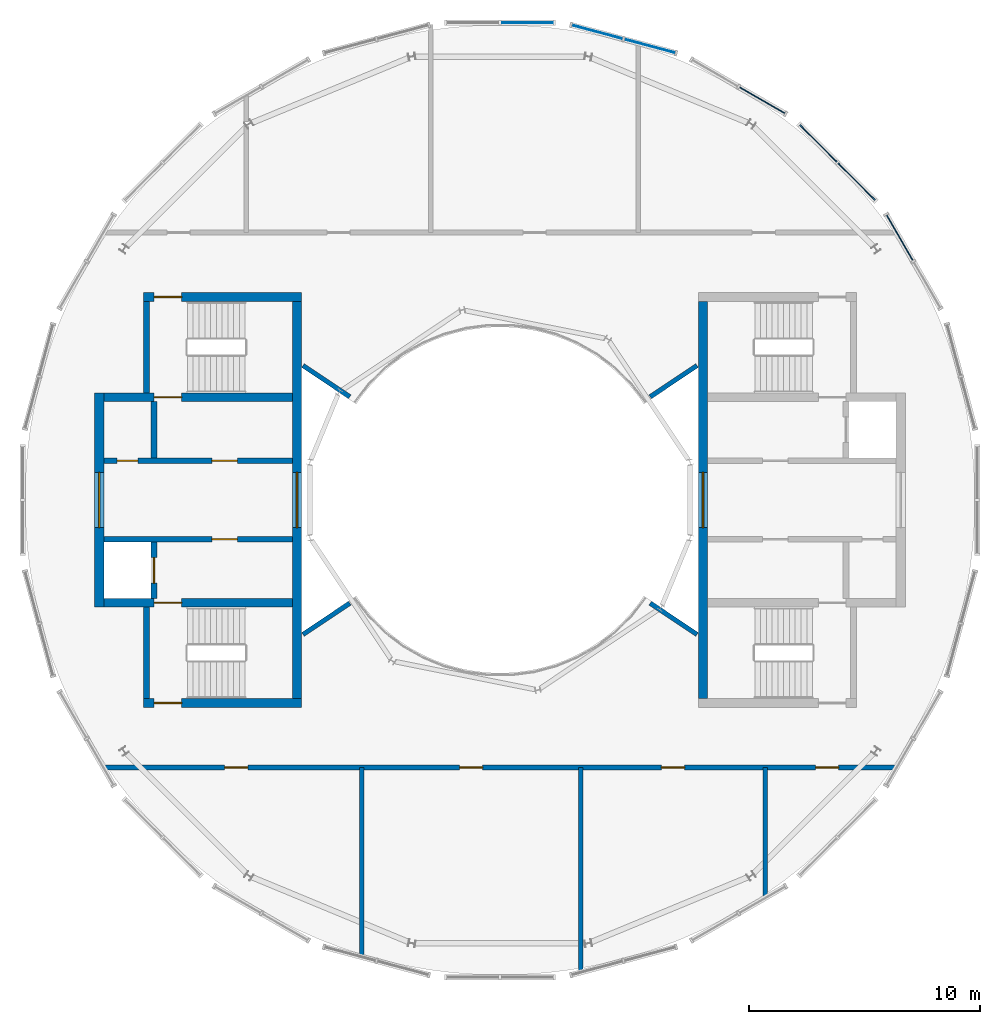
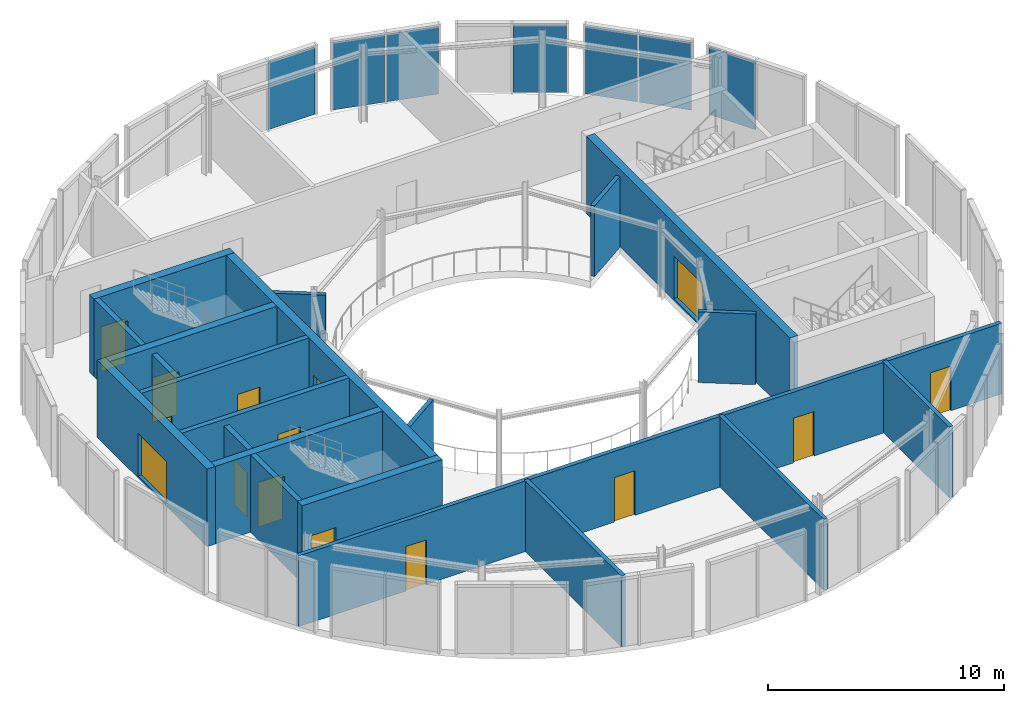
# One storey, part 8 of 12: 21 walls, 12 doors, 7 plates, 3 windows, 15 openings, 5 elements without a shape of their own.
"""IFC4 building model written with IfcOpenShell, lengths in metres."""

from ifc_helpers import new_model, si_unit, direction, frame, frame_2d, origin, origin_2d, place, context, subcontext, project, spatial, rectangle, extrude, material, layer, layer_set, type_object, element, fill, aggregate, save


model = new_model("IFC4")

# Units and contexts
model_context = context("Model", 3, precision=1e-05, world=origin(), true_north=direction((0.0, 1.0)))
body_context = subcontext(model_context, "Body", "Model", "MODEL_VIEW")
ifc_project = project(units=[si_unit("LENGTHUNIT", "METRE"), si_unit("AREAUNIT", "SQUARE_METRE"), si_unit("VOLUMEUNIT", "CUBIC_METRE"), si_unit("PLANEANGLEUNIT", "RADIAN"), si_unit("MASSUNIT", "GRAM", prefix="KILO")], contexts=[model_context])

# Site, building, storey
site_placement = place(None, origin())
site = spatial("IfcSite", under=ifc_project, at=site_placement, CompositionType="ELEMENT")
building_placement = place(site_placement, origin())
building = spatial("IfcBuilding", under=site, at=building_placement, Name="Maasbend Ring Residences", CompositionType="ELEMENT")
storey_placement = place(building_placement, frame((0.0, 0.0, 265.5)))
storey = spatial("IfcBuildingStorey", under=building, at=storey_placement, Name="L76", CompositionType="ELEMENT", Elevation=265.5)

# Curtain wall, plate
ifc_material_1 = material(Name="Aluminium and clear glass", Category="aluminium")
ifc_layer_1 = layer(ifc_material_1, 0.239990234375)
ifc_layer_set_1 = layer_set([ifc_layer_1], Name="CW-CN")
curtain_wall_type = type_object("IfcCurtainWallType", Name="CW-CN", PredefinedType="NOTDEFINED", material=ifc_layer_set_1)
curtain_wall_1_placement = place(storey_placement, origin())
curtain_wall_1 = element("IfcCurtainWall", 1, at=curtain_wall_1_placement, inside=storey, type_object=curtain_wall_type, Name="Crown drum glazing 02 L76", PredefinedType="NOTDEFINED")
ifc_material_2 = material(Name="Glass clear laminated", Category="glass")
ifc_layer_2 = layer(ifc_material_2, 0.0400390625)
ifc_layer_set_2 = layer_set([ifc_layer_2], Name="CWP-CN")
plate_type = type_object("IfcPlateType", Name="CWP-CN", PredefinedType="CURTAIN_PANEL", material=ifc_layer_set_2)
plate_1_placement = place(storey_placement, frame((17.32958984375, 11.3671875, 0.0), z_axis=(0.0, 0.0, 1.0), x_axis=(-0.5, 0.866025403784, 0.0)))
plate_1 = element("IfcPlate", 2, at=plate_1_placement, type_object=plate_type, Name="Glass panel crown cone", PredefinedType="CURTAIN_PANEL", context=body_context, shape_type="SweptSolid", body=[
    extrude(rectangle(XDim=2.26904296875, YDim=0.0400390625, at=origin_2d()), origin(), (0.0, 0.0, 1.0), 3.489990234375),
])
aggregate(curtain_wall_1, [plate_1])

# Curtain wall, plates
curtain_wall_2_placement = place(storey_placement, origin())
curtain_wall_2 = element("IfcCurtainWall", 3, at=curtain_wall_2_placement, inside=storey, type_object=curtain_wall_type, Name="Crown drum glazing 03 L76", PredefinedType="NOTDEFINED")
plate_2_placement = place(storey_placement, frame((15.465087890625, 13.797119140625, 0.0), z_axis=(0.0, 0.0, 1.0), x_axis=(-0.707106781187, 0.707106781187, 0.0)))
plate_2 = element("IfcPlate", 4, at=plate_2_placement, type_object=plate_type, Name="Glass panel crown cone", PredefinedType="CURTAIN_PANEL", context=body_context, shape_type="SweptSolid", body=[
    extrude(rectangle(XDim=2.26904296875, YDim=0.0400390625, at=origin_2d()), origin(), (0.0, 0.0, 1.0), 3.489990234375),
])
plate_3_placement = place(storey_placement, frame((13.797119140625, 15.465087890625, 0.0), z_axis=(0.0, 0.0, 1.0), x_axis=(-0.707106781187, 0.707106781187, 0.0)))
plate_3 = element("IfcPlate", 5, at=plate_3_placement, type_object=plate_type, Name="Glass panel crown cone", PredefinedType="CURTAIN_PANEL", context=body_context, shape_type="SweptSolid", body=[
    extrude(rectangle(XDim=2.26904296875, YDim=0.0400390625, at=origin_2d()), origin(), (0.0, 0.0, 1.0), 3.489990234375),
])
aggregate(curtain_wall_2, [plate_2, plate_3])

# Curtain wall, plate
curtain_wall_3_placement = place(storey_placement, origin())
curtain_wall_3 = element("IfcCurtainWall", 6, at=curtain_wall_3_placement, inside=storey, type_object=curtain_wall_type, Name="Crown drum glazing 04 L76", PredefinedType="NOTDEFINED")
plate_4_placement = place(storey_placement, frame((11.3671875, 17.32958984375, 0.0), z_axis=(0.0, 0.0, 1.0), x_axis=(-0.866025403784, 0.5, 0.0)))
plate_4 = element("IfcPlate", 7, at=plate_4_placement, type_object=plate_type, Name="Glass panel crown cone", PredefinedType="CURTAIN_PANEL", context=body_context, shape_type="SweptSolid", body=[
    extrude(rectangle(XDim=2.26904296875, YDim=0.0400390625, at=origin_2d()), origin(), (0.0, 0.0, 1.0), 3.489990234375),
])
aggregate(curtain_wall_3, [plate_4])

# Curtain wall, plates
curtain_wall_4_placement = place(storey_placement, origin())
curtain_wall_4 = element("IfcCurtainWall", 8, at=curtain_wall_4_placement, inside=storey, type_object=curtain_wall_type, Name="Crown drum glazing 05 L76", PredefinedType="NOTDEFINED")
plate_5_placement = place(storey_placement, frame((6.49462890625, 19.68115234375, 0.0), z_axis=(0.0, 0.0, 1.0), x_axis=(-0.965925826289, 0.258819045103, 0.0)))
plate_5 = element("IfcPlate", 9, at=plate_5_placement, type_object=plate_type, Name="Glass panel crown cone", PredefinedType="CURTAIN_PANEL", context=body_context, shape_type="SweptSolid", body=[
    extrude(rectangle(XDim=2.26904296875, YDim=0.0400390625, at=origin_2d()), origin(), (0.0, 0.0, 1.0), 3.489990234375),
])
plate_6_placement = place(storey_placement, frame((4.216064453125, 20.291748046875, 0.0), z_axis=(0.0, 0.0, 1.0), x_axis=(-0.965925826289, 0.258819045103, 0.0)))
plate_6 = element("IfcPlate", 10, at=plate_6_placement, type_object=plate_type, Name="Glass panel crown cone", PredefinedType="CURTAIN_PANEL", context=body_context, shape_type="SweptSolid", body=[
    extrude(rectangle(XDim=2.26904296875, YDim=0.0400390625, at=origin_2d()), origin(), (0.0, 0.0, 1.0), 3.489990234375),
])
aggregate(curtain_wall_4, [plate_5, plate_6])

# Curtain wall, plate
curtain_wall_5_placement = place(storey_placement, origin())
curtain_wall_5 = element("IfcCurtainWall", 11, at=curtain_wall_5_placement, inside=storey, type_object=curtain_wall_type, Name="Crown drum glazing 06 L76", PredefinedType="NOTDEFINED")
plate_7_placement = place(storey_placement, frame((1.179443359375, 20.69140625, 0.0), z_axis=(0.0, 0.0, 1.0), x_axis=(-1.0, 0.0, 0.0)))
plate_7 = element("IfcPlate", 12, at=plate_7_placement, type_object=plate_type, Name="Glass panel crown cone", PredefinedType="CURTAIN_PANEL", context=body_context, shape_type="SweptSolid", body=[
    extrude(rectangle(XDim=2.26904296875, YDim=0.0400390625, at=origin_2d()), origin(), (0.0, 0.0, 1.0), 3.489990234375),
])
aggregate(curtain_wall_5, [plate_7])

# Wall, openings, doors
ifc_material_3 = material(Name="Concrete C30/37", Category="concrete")
ifc_layer_3 = layer(ifc_material_3, 0.199951171875)
ifc_layer_set_3 = layer_set([ifc_layer_3], Name="Concrete C30/37")
wall_type_1 = type_object("IfcWallType", Name="COMPARTMENT WALL 200 CONCRETE", PredefinedType="PARTITIONING", material=ifc_layer_set_3)
wall_1_placement = place(storey_placement, frame((-17.177001953125, -11.60009765625, 0.0), z_axis=(0.0, 0.0, 1.0), x_axis=(1.0, 0.0, 0.0)))
wall_1 = element("IfcWall", 13, at=wall_1_placement, inside=storey, type_object=wall_type_1, Name="U-L76-w001", PredefinedType="PARTITIONING", context=body_context, shape_type="SweptSolid", body=[
    extrude(rectangle(XDim=34.35400390625, YDim=0.199951171875, at=frame_2d((17.177001953125, 0.0))), origin(), (0.0, 0.0, 1.0), 3.64990234375),
])
opening_1_placement = place(wall_1_placement, frame((5.240966796875, 0.0, 0.0)))
opening_1 = element("IfcOpeningElement", 14, at=opening_1_placement, cuts=wall_1, Name="Opening D-7605", PredefinedType="OPENING", context=body_context, shape_type="SweptSolid", body=[
    extrude(rectangle(XDim=1.0, YDim=2.300048828125, at=frame_2d((0.5, 1.14990234375))), frame((0.0, 0.10986328125, 0.0), z_axis=(0.0, -1.0, 0.0), x_axis=(1.0, 0.0, 0.0)), (0.0, 0.0, 1.0), 0.219970703125),
])
opening_2_placement = place(wall_1_placement, frame((15.427001953125, 0.0, 0.0)))
opening_2 = element("IfcOpeningElement", 15, at=opening_2_placement, cuts=wall_1, Name="Opening D-7606", PredefinedType="OPENING", context=body_context, shape_type="SweptSolid", body=[
    extrude(rectangle(XDim=1.0, YDim=2.300048828125, at=frame_2d((0.5, 1.14990234375))), frame((0.0, 0.10986328125, 0.0), z_axis=(0.0, -1.0, 0.0), x_axis=(1.0, 0.0, 0.0)), (0.0, 0.0, 1.0), 0.219970703125),
])
opening_3_placement = place(wall_1_placement, frame((24.177001953125, 0.0, 0.0)))
opening_3 = element("IfcOpeningElement", 16, at=opening_3_placement, cuts=wall_1, Name="Opening D-7607", PredefinedType="OPENING", context=body_context, shape_type="SweptSolid", body=[
    extrude(rectangle(XDim=1.0, YDim=2.300048828125, at=frame_2d((0.5, 1.14990234375))), frame((0.0, 0.10986328125, 0.0), z_axis=(0.0, -1.0, 0.0), x_axis=(1.0, 0.0, 0.0)), (0.0, 0.0, 1.0), 0.219970703125),
])
opening_4_placement = place(wall_1_placement, frame((30.863037109375, 0.0, 0.0)))
opening_4 = element("IfcOpeningElement", 17, at=opening_4_placement, cuts=wall_1, Name="Opening D-7608", PredefinedType="OPENING", context=body_context, shape_type="SweptSolid", body=[
    extrude(rectangle(XDim=1.0, YDim=2.300048828125, at=frame_2d((0.5, 1.14990234375))), frame((0.0, 0.10986328125, 0.0), z_axis=(0.0, -1.0, 0.0), x_axis=(1.0, 0.0, 0.0)), (0.0, 0.0, 1.0), 0.219970703125),
])
ifc_material_4 = material(Name="Steel, fire-rated, painted", Category="steel")
door_type_1 = type_object("IfcDoorType", Name="PLANT DOOR 1000 X 2300 FIRE-RATED", OperationType="NOTDEFINED", PredefinedType="DOOR", material=ifc_material_4)
door_1_placement = place(opening_1_placement, origin())
door_1 = element("IfcDoor", 18, at=door_1_placement, inside=storey, type_object=door_type_1, Name="D-7605", OperationType="SINGLE_SWING_LEFT", OverallHeight=2.300048828125, OverallWidth=1.0, PredefinedType="DOOR", context=body_context, shape_type="SweptSolid", body=[
    extrude(rectangle(XDim=1.0, YDim=2.300048828125, at=frame_2d((0.5, 1.14990234375))), frame((0.0, 0.02490234375, 0.0), z_axis=(0.0, -1.0, 0.0), x_axis=(1.0, 0.0, 0.0)), (0.0, 0.0, 1.0), 0.050048828125),
])
fill(opening_1, door_1)
door_2_placement = place(opening_2_placement, origin())
door_2 = element("IfcDoor", 19, at=door_2_placement, inside=storey, type_object=door_type_1, Name="D-7606", OperationType="SINGLE_SWING_LEFT", OverallHeight=2.300048828125, OverallWidth=1.0, PredefinedType="DOOR", context=body_context, shape_type="SweptSolid", body=[
    extrude(rectangle(XDim=1.0, YDim=2.300048828125, at=frame_2d((0.5, 1.14990234375))), frame((0.0, 0.02490234375, 0.0), z_axis=(0.0, -1.0, 0.0), x_axis=(1.0, 0.0, 0.0)), (0.0, 0.0, 1.0), 0.050048828125),
])
fill(opening_2, door_2)
door_3_placement = place(opening_3_placement, origin())
door_3 = element("IfcDoor", 20, at=door_3_placement, inside=storey, type_object=door_type_1, Name="D-7607", OperationType="SINGLE_SWING_RIGHT", OverallHeight=2.300048828125, OverallWidth=1.0, PredefinedType="DOOR", context=body_context, shape_type="SweptSolid", body=[
    extrude(rectangle(XDim=1.0, YDim=2.300048828125, at=frame_2d((0.5, 1.14990234375))), frame((0.0, 0.02490234375, 0.0), z_axis=(0.0, -1.0, 0.0), x_axis=(1.0, 0.0, 0.0)), (0.0, 0.0, 1.0), 0.050048828125),
])
fill(opening_3, door_3)
door_4_placement = place(opening_4_placement, origin())
door_4 = element("IfcDoor", 21, at=door_4_placement, inside=storey, type_object=door_type_1, Name="D-7608", OperationType="SINGLE_SWING_RIGHT", OverallHeight=2.300048828125, OverallWidth=1.0, PredefinedType="DOOR", context=body_context, shape_type="SweptSolid", body=[
    extrude(rectangle(XDim=1.0, YDim=2.300048828125, at=frame_2d((0.5, 1.14990234375))), frame((0.0, 0.02490234375, 0.0), z_axis=(0.0, -1.0, 0.0), x_axis=(1.0, 0.0, 0.0)), (0.0, 0.0, 1.0), 0.050048828125),
])
fill(opening_4, door_4)

# Walls
wall_2_placement = place(storey_placement, frame((11.5, -17.23388671875, 0.0), z_axis=(0.0, 0.0, 1.0), x_axis=(0.0, 1.0, 0.0)))
element("IfcWall", 22, at=wall_2_placement, inside=storey, type_object=wall_type_1, Name="U-L76-w002", PredefinedType="PARTITIONING", context=body_context, shape_type="SweptSolid", body=[
    extrude(rectangle(XDim=5.6337890625, YDim=0.199951171875, at=frame_2d((2.81689453125, 0.0))), origin(), (0.0, 0.0, 1.0), 3.64990234375),
])
wall_3_placement = place(storey_placement, frame((3.5, -20.47900390625, 0.0), z_axis=(0.0, 0.0, 1.0), x_axis=(0.0, 1.0, 0.0)))
element("IfcWall", 23, at=wall_3_placement, inside=storey, type_object=wall_type_1, Name="U-L76-w004", PredefinedType="PARTITIONING", context=body_context, shape_type="SweptSolid", body=[
    extrude(rectangle(XDim=8.87890625, YDim=0.199951171875, at=frame_2d((4.439453125, 0.0))), origin(), (0.0, 0.0, 1.0), 3.64990234375),
])
wall_4_placement = place(storey_placement, frame((-6.0, -19.80908203125, 0.0), z_axis=(0.0, 0.0, 1.0), x_axis=(0.0, 1.0, 0.0)))
element("IfcWall", 24, at=wall_4_placement, inside=storey, type_object=wall_type_1, Name="U-L76-w010", PredefinedType="PARTITIONING", context=body_context, shape_type="SweptSolid", body=[
    extrude(rectangle(XDim=8.208984375, YDim=0.199951171875, at=frame_2d((4.1044921875, 0.0))), origin(), (0.0, 0.0, 1.0), 3.64990234375),
])

# Wall, opening, door
ifc_material_5 = material(Name="Concrete C50/60", Category="concrete")
ifc_layer_4 = layer(ifc_material_5, 0.25)
ifc_layer_set_4 = layer_set([ifc_layer_4], Name="Concrete C50/60")
wall_type_2 = type_object("IfcWallType", Name="CORE WALL 250 C50/60", PredefinedType="SHEAR", material=ifc_layer_set_4)
wall_5_placement = place(storey_placement, frame((-9.0, -1.699951171875, 0.0), z_axis=(0.0, 0.0, 1.0), x_axis=(-1.0, 0.0, 0.0)))
wall_5 = element("IfcWall", 25, at=wall_5_placement, inside=storey, type_object=wall_type_2, Name="L76 core W wall SPN", PredefinedType="SHEAR", context=body_context, shape_type="SweptSolid", body=[
    extrude(rectangle(XDim=8.175048828125, YDim=0.25, at=frame_2d((4.08740234375, 0.0))), origin(), (0.0, 0.0, 1.0), 4.0),
])
opening_5_placement = place(wall_5_placement, frame((2.387451171875, 0.0, 0.0)))
opening_5 = element("IfcOpeningElement", 26, at=opening_5_placement, cuts=wall_5, Name="Opening D-W7602", PredefinedType="OPENING", context=body_context, shape_type="SweptSolid", body=[
    extrude(rectangle(XDim=1.10009765625, YDim=2.300048828125, at=frame_2d((0.550048828125, 1.14990234375))), frame((0.0, 0.135009765625, 0.0), z_axis=(0.0, -1.0, 0.0), x_axis=(1.0, 0.0, 0.0)), (0.0, 0.0, 1.0), 0.27001953125),
])
ifc_material_6 = material(Name="Steel, powder coated", Category="steel")
door_type_2 = type_object("IfcDoorType", Name="LOBBY DOOR 1100 X 2300 FD60", OperationType="NOTDEFINED", PredefinedType="DOOR", material=ifc_material_6)
door_5_placement = place(opening_5_placement, origin())
door_5 = element("IfcDoor", 27, at=door_5_placement, inside=storey, type_object=door_type_2, Name="Lobby door L76", OperationType="SINGLE_SWING_RIGHT", OverallHeight=2.300048828125, OverallWidth=1.10009765625, PredefinedType="DOOR", context=body_context, shape_type="SweptSolid", body=[
    extrude(rectangle(XDim=1.10009765625, YDim=2.300048828125, at=frame_2d((0.550048828125, 1.14990234375))), frame((0.0, 0.02490234375, 0.0), z_axis=(0.0, -1.0, 0.0), x_axis=(1.0, 0.0, 0.0)), (0.0, 0.0, 1.0), 0.050048828125),
])
fill(opening_5, door_5)

# Wall
wall_6_placement = place(storey_placement, frame((-15.324951171875, -4.64990234375, 0.0), z_axis=(0.0, 0.0, 1.0), x_axis=(0.0, -1.0, 0.0)))
element("IfcWall", 28, at=wall_6_placement, inside=storey, type_object=wall_type_2, Name="L76 core W wall STEN", PredefinedType="SHEAR", context=body_context, shape_type="SweptSolid", body=[
    extrude(rectangle(XDim=3.9501953125, YDim=0.25, at=frame_2d((1.97509765625, 0.0))), origin(), (0.0, 0.0, 1.0), 4.0),
])

# Wall, openings, doors
wall_7_placement = place(storey_placement, frame((-17.175048828125, 1.699951171875, 0.0), z_axis=(0.0, 0.0, 1.0), x_axis=(1.0, 0.0, 0.0)))
wall_7 = element("IfcWall", 29, at=wall_7_placement, inside=storey, type_object=wall_type_2, Name="L76 core W wall SPS", PredefinedType="SHEAR", context=body_context, shape_type="SweptSolid", body=[
    extrude(rectangle(XDim=8.175048828125, YDim=0.25, at=frame_2d((4.08740234375, 0.0))), origin(), (0.0, 0.0, 1.0), 4.0),
])
opening_6_placement = place(wall_7_placement, frame((4.6875, 0.0, 0.0)))
opening_6 = element("IfcOpeningElement", 30, at=opening_6_placement, cuts=wall_7, Name="Opening D-W7603", PredefinedType="OPENING", context=body_context, shape_type="SweptSolid", body=[
    extrude(rectangle(XDim=1.10009765625, YDim=2.300048828125, at=frame_2d((0.550048828125, 1.14990234375))), frame((0.0, 0.135009765625, 0.0), z_axis=(0.0, -1.0, 0.0), x_axis=(1.0, 0.0, 0.0)), (0.0, 0.0, 1.0), 0.27001953125),
])
opening_7_placement = place(wall_7_placement, frame((0.574951171875, 0.0, 0.0)))
opening_7 = element("IfcOpeningElement", 31, at=opening_7_placement, cuts=wall_7, Name="Opening D-W7604", PredefinedType="OPENING", context=body_context, shape_type="SweptSolid", body=[
    extrude(rectangle(XDim=0.89990234375, YDim=2.300048828125, at=frame_2d((0.449951171875, 1.14990234375))), frame((0.0, 0.135009765625, 0.0), z_axis=(0.0, -1.0, 0.0), x_axis=(1.0, 0.0, 0.0)), (0.0, 0.0, 1.0), 0.27001953125),
])
ifc_material_7 = material(Name="Steel, powder coated", Category="steel")
door_type_3 = type_object("IfcDoorType", Name="ROOM DOOR 1100 X 2300 FD30S", OperationType="NOTDEFINED", PredefinedType="DOOR", material=ifc_material_7)
door_6_placement = place(opening_6_placement, origin())
door_6 = element("IfcDoor", 32, at=door_6_placement, inside=storey, type_object=door_type_3, Name="Room door L76", OperationType="SINGLE_SWING_LEFT", OverallHeight=2.300048828125, OverallWidth=1.10009765625, PredefinedType="DOOR", context=body_context, shape_type="SweptSolid", body=[
    extrude(rectangle(XDim=1.10009765625, YDim=2.300048828125, at=frame_2d((0.550048828125, 1.14990234375))), frame((0.0, 0.02490234375, 0.0), z_axis=(0.0, -1.0, 0.0), x_axis=(1.0, 0.0, 0.0)), (0.0, 0.0, 1.0), 0.050048828125),
])
fill(opening_6, door_6)
ifc_material_8 = material(Name="Steel, powder coated", Category="steel")
door_type_4 = type_object("IfcDoorType", Name="ROOM DOOR 900 X 2300 FD30S", OperationType="NOTDEFINED", PredefinedType="DOOR", material=ifc_material_8)
door_7_placement = place(opening_7_placement, origin())
door_7 = element("IfcDoor", 33, at=door_7_placement, inside=storey, type_object=door_type_4, Name="Room door L76", OperationType="SINGLE_SWING_RIGHT", OverallHeight=2.300048828125, OverallWidth=0.89990234375, PredefinedType="DOOR", context=body_context, shape_type="SweptSolid", body=[
    extrude(rectangle(XDim=0.89990234375, YDim=2.300048828125, at=frame_2d((0.449951171875, 1.14990234375))), frame((0.0, 0.02490234375, 0.0), z_axis=(0.0, -1.0, 0.0), x_axis=(1.0, 0.0, 0.0)), (0.0, 0.0, 1.0), 0.050048828125),
])
fill(opening_7, door_7)

# Wall
wall_8_placement = place(storey_placement, frame((-15.324951171875, 4.64990234375, 0.0), z_axis=(0.0, 0.0, 1.0), x_axis=(0.0, 1.0, 0.0)))
element("IfcWall", 34, at=wall_8_placement, inside=storey, type_object=wall_type_2, Name="L76 core W wall STES", PredefinedType="SHEAR", context=body_context, shape_type="SweptSolid", body=[
    extrude(rectangle(XDim=3.9501953125, YDim=0.25, at=frame_2d((1.97509765625, 0.0))), origin(), (0.0, 0.0, 1.0), 4.0),
])

# Wall, opening, door
ifc_material_9 = material(Name="Concrete C50/60", Category="concrete")
ifc_layer_5 = layer(ifc_material_9, 0.375)
ifc_layer_set_5 = layer_set([ifc_layer_5], Name="Concrete C50/60")
wall_type_3 = type_object("IfcWallType", Name="CORE WALL 375 C50/60", PredefinedType="SHEAR", material=ifc_layer_set_5)
wall_9_placement = place(storey_placement, frame((-9.0, -4.46240234375, 0.0), z_axis=(0.0, 0.0, 1.0), x_axis=(-1.0, 0.0, 0.0)))
wall_9 = element("IfcWall", 35, at=wall_9_placement, inside=storey, type_object=wall_type_3, Name="L76 core W wall BN", PredefinedType="SHEAR", context=body_context, shape_type="SweptSolid", body=[
    extrude(rectangle(XDim=8.175048828125, YDim=0.375, at=frame_2d((4.08740234375, 0.0))), origin(), (0.0, 0.0, 1.0), 4.0),
])
opening_8_placement = place(wall_9_placement, frame((4.800048828125, 0.0, 0.0)))
opening_8 = element("IfcOpeningElement", 36, at=opening_8_placement, cuts=wall_9, Name="Opening D-W7605", PredefinedType="OPENING", context=body_context, shape_type="SweptSolid", body=[
    extrude(rectangle(XDim=1.199951171875, YDim=2.300048828125, at=frame_2d((0.60009765625, 1.14990234375))), frame((0.0, 0.197509765625, 0.0), z_axis=(0.0, -1.0, 0.0), x_axis=(1.0, 0.0, 0.0)), (0.0, 0.0, 1.0), 0.39501953125),
])
ifc_material_10 = material(Name="Steel, powder coated", Category="steel")
door_type_5 = type_object("IfcDoorType", Name="STAIR DOOR 1200 X 2300 FD60", OperationType="NOTDEFINED", PredefinedType="DOOR", material=ifc_material_10)
door_8_placement = place(opening_8_placement, origin())
door_8 = element("IfcDoor", 37, at=door_8_placement, inside=storey, type_object=door_type_5, Name="Stair door ST-W L76", OperationType="SINGLE_SWING_LEFT", OverallHeight=2.300048828125, OverallWidth=1.199951171875, PredefinedType="DOOR", context=body_context, shape_type="SweptSolid", body=[
    extrude(rectangle(XDim=1.199951171875, YDim=2.300048828125, at=frame_2d((0.60009765625, 1.14990234375))), frame((0.0, 0.02490234375, 0.0), z_axis=(0.0, -1.0, 0.0), x_axis=(1.0, 0.0, 0.0)), (0.0, 0.0, 1.0), 0.050048828125),
])
fill(opening_8, door_8)

wall_10_placement = place(storey_placement, frame((-17.175048828125, 4.46240234375, 0.0), z_axis=(0.0, 0.0, 1.0), x_axis=(1.0, 0.0, 0.0)))
wall_10 = element("IfcWall", 38, at=wall_10_placement, inside=storey, type_object=wall_type_3, Name="L76 core W wall BS", PredefinedType="SHEAR", context=body_context, shape_type="SweptSolid", body=[
    extrude(rectangle(XDim=8.175048828125, YDim=0.375, at=frame_2d((4.08740234375, 0.0))), origin(), (0.0, 0.0, 1.0), 4.0),
])
opening_9_placement = place(wall_10_placement, frame((2.175048828125, 0.0, 0.0)))
opening_9 = element("IfcOpeningElement", 39, at=opening_9_placement, cuts=wall_10, Name="Opening D-W7606", PredefinedType="OPENING", context=body_context, shape_type="SweptSolid", body=[
    extrude(rectangle(XDim=1.199951171875, YDim=2.300048828125, at=frame_2d((0.60009765625, 1.14990234375))), frame((0.0, 0.197509765625, 0.0), z_axis=(0.0, -1.0, 0.0), x_axis=(1.0, 0.0, 0.0)), (0.0, 0.0, 1.0), 0.39501953125),
])
door_9_placement = place(opening_9_placement, origin())
door_9 = element("IfcDoor", 40, at=door_9_placement, inside=storey, type_object=door_type_5, Name="Stair door ST-W L76", OperationType="SINGLE_SWING_RIGHT", OverallHeight=2.300048828125, OverallWidth=1.199951171875, PredefinedType="DOOR", context=body_context, shape_type="SweptSolid", body=[
    extrude(rectangle(XDim=1.199951171875, YDim=2.300048828125, at=frame_2d((0.60009765625, 1.14990234375))), frame((0.0, 0.02490234375, 0.0), z_axis=(0.0, -1.0, 0.0), x_axis=(1.0, 0.0, 0.0)), (0.0, 0.0, 1.0), 0.050048828125),
])
fill(opening_9, door_9)

# Wall, opening, window
ifc_material_11 = material(Name="Concrete C50/60", Category="concrete")
ifc_layer_6 = layer(ifc_material_11, 0.39990234375)
ifc_layer_set_6 = layer_set([ifc_layer_6], Name="Concrete C50/60")
wall_type_4 = type_object("IfcWallType", Name="CORE WALL 400 C50/60", PredefinedType="SHEAR", material=ifc_layer_set_6)
wall_11_placement = place(storey_placement, frame((8.800048828125, -8.60009765625, 0.0), z_axis=(0.0, 0.0, 1.0), x_axis=(0.0, 1.0, 0.0)))
wall_11 = element("IfcWall", 41, at=wall_11_placement, inside=storey, type_object=wall_type_4, Name="L76 core E wall PIN", PredefinedType="SHEAR", context=body_context, shape_type="SweptSolid", body=[
    extrude(rectangle(XDim=17.2001953125, YDim=0.39990234375, at=frame_2d((8.60009765625, 0.0))), origin(), (0.0, 0.0, 1.0), 4.0),
])
opening_10_placement = place(wall_11_placement, frame((7.39990234375, 0.0, 0.10009765625)))
opening_10 = element("IfcOpeningElement", 42, at=opening_10_placement, cuts=wall_11, Name="Opening W-E7601", PredefinedType="OPENING", context=body_context, shape_type="SweptSolid", body=[
    extrude(rectangle(XDim=2.39990234375, YDim=2.199951171875, at=frame_2d((1.199951171875, 1.10009765625))), frame((0.0, 0.2099609375, 0.0), z_axis=(0.0, -1.0, 0.0), x_axis=(1.0, 0.0, 0.0)), (0.0, 0.0, 1.0), 0.419921875),
])
ifc_material_12 = material(Name="Aluminium frame and clear glass", Category="aluminium")
window_type = type_object("IfcWindowType", Name="FIXED WINDOW 2400 X 2200", PartitioningType="SINGLE_PANEL", PredefinedType="WINDOW", material=ifc_material_12)
window_1_placement = place(opening_10_placement, origin())
window_1 = element("IfcWindow", 43, at=window_1_placement, inside=storey, type_object=window_type, Name="Lobby window L76", OverallHeight=2.199951171875, OverallWidth=2.39990234375, PartitioningType="SINGLE_PANEL", PredefinedType="WINDOW", context=body_context, shape_type="SweptSolid", body=[
    extrude(rectangle(XDim=2.39990234375, YDim=2.199951171875, at=frame_2d((1.199951171875, 1.10009765625))), frame((0.0, 0.030029296875, 0.0), z_axis=(0.0, -1.0, 0.0), x_axis=(1.0, 0.0, 0.0)), (0.0, 0.0, 1.0), 0.06005859375),
])
fill(opening_10, window_1)

# Wall, opening, door
wall_12_placement = place(storey_placement, frame((-15.449951171875, -8.800048828125, 0.0), z_axis=(0.0, 0.0, 1.0), x_axis=(1.0, 0.0, 0.0)))
wall_12 = element("IfcWall", 44, at=wall_12_placement, inside=storey, type_object=wall_type_4, Name="L76 core W wall PN", PredefinedType="SHEAR", context=body_context, shape_type="SweptSolid", body=[
    extrude(rectangle(XDim=6.849853515625, YDim=0.39990234375, at=frame_2d((3.4248046875, 0.0))), origin(), (0.0, 0.0, 1.0), 4.0),
])
opening_11_placement = place(wall_12_placement, frame((0.449951171875, 0.0, 0.0)))
opening_11 = element("IfcOpeningElement", 45, at=opening_11_placement, cuts=wall_12, Name="Opening D-W7607", PredefinedType="OPENING", context=body_context, shape_type="SweptSolid", body=[
    extrude(rectangle(XDim=1.199951171875, YDim=2.300048828125, at=frame_2d((0.60009765625, 1.14990234375))), frame((0.0, 0.2099609375, 0.0), z_axis=(0.0, -1.0, 0.0), x_axis=(1.0, 0.0, 0.0)), (0.0, 0.0, 1.0), 0.419921875),
])
door_10_placement = place(opening_11_placement, origin())
door_10 = element("IfcDoor", 46, at=door_10_placement, inside=storey, type_object=door_type_5, Name="Stair door ST-W L76", OperationType="SINGLE_SWING_RIGHT", OverallHeight=2.300048828125, OverallWidth=1.199951171875, PredefinedType="DOOR", context=body_context, shape_type="SweptSolid", body=[
    extrude(rectangle(XDim=1.199951171875, YDim=2.300048828125, at=frame_2d((0.60009765625, 1.14990234375))), frame((0.0, 0.02490234375, 0.0), z_axis=(0.0, -1.0, 0.0), x_axis=(1.0, 0.0, 0.0)), (0.0, 0.0, 1.0), 0.050048828125),
])
fill(opening_11, door_10)

wall_13_placement = place(storey_placement, frame((-8.60009765625, 8.800048828125, 0.0), z_axis=(0.0, 0.0, 1.0), x_axis=(-1.0, 0.0, 0.0)))
wall_13 = element("IfcWall", 47, at=wall_13_placement, inside=storey, type_object=wall_type_4, Name="L76 core W wall PS", PredefinedType="SHEAR", context=body_context, shape_type="SweptSolid", body=[
    extrude(rectangle(XDim=6.849853515625, YDim=0.39990234375, at=frame_2d((3.4248046875, 0.0))), origin(), (0.0, 0.0, 1.0), 4.0),
])
opening_12_placement = place(wall_13_placement, frame((5.199951171875, 0.0, 0.0)))
opening_12 = element("IfcOpeningElement", 48, at=opening_12_placement, cuts=wall_13, Name="Opening D-W7608", PredefinedType="OPENING", context=body_context, shape_type="SweptSolid", body=[
    extrude(rectangle(XDim=1.199951171875, YDim=2.300048828125, at=frame_2d((0.60009765625, 1.14990234375))), frame((0.0, 0.2099609375, 0.0), z_axis=(0.0, -1.0, 0.0), x_axis=(1.0, 0.0, 0.0)), (0.0, 0.0, 1.0), 0.419921875),
])
door_11_placement = place(opening_12_placement, origin())
door_11 = element("IfcDoor", 49, at=door_11_placement, inside=storey, type_object=door_type_5, Name="Stair door ST-W L76", OperationType="SINGLE_SWING_LEFT", OverallHeight=2.300048828125, OverallWidth=1.199951171875, PredefinedType="DOOR", context=body_context, shape_type="SweptSolid", body=[
    extrude(rectangle(XDim=1.199951171875, YDim=2.300048828125, at=frame_2d((0.60009765625, 1.14990234375))), frame((0.0, 0.02490234375, 0.0), z_axis=(0.0, -1.0, 0.0), x_axis=(1.0, 0.0, 0.0)), (0.0, 0.0, 1.0), 0.050048828125),
])
fill(opening_12, door_11)

# Wall, opening, window
wall_14_placement = place(storey_placement, frame((-17.375, 4.64990234375, 0.0), z_axis=(0.0, 0.0, 1.0), x_axis=(0.0, -1.0, 0.0)))
wall_14 = element("IfcWall", 50, at=wall_14_placement, inside=storey, type_object=wall_type_4, Name="L76 core W wall POUT", PredefinedType="SHEAR", context=body_context, shape_type="SweptSolid", body=[
    extrude(rectangle(XDim=9.2998046875, YDim=0.39990234375, at=frame_2d((4.64990234375, 0.0))), origin(), (0.0, 0.0, 1.0), 4.0),
])
opening_13_placement = place(wall_14_placement, frame((3.449951171875, 0.0, 0.10009765625)))
opening_13 = element("IfcOpeningElement", 51, at=opening_13_placement, cuts=wall_14, Name="Opening W-W7602", PredefinedType="OPENING", context=body_context, shape_type="SweptSolid", body=[
    extrude(rectangle(XDim=2.39990234375, YDim=2.199951171875, at=frame_2d((1.199951171875, 1.10009765625))), frame((0.0, 0.2099609375, 0.0), z_axis=(0.0, -1.0, 0.0), x_axis=(1.0, 0.0, 0.0)), (0.0, 0.0, 1.0), 0.419921875),
])
window_2_placement = place(opening_13_placement, origin())
window_2 = element("IfcWindow", 52, at=window_2_placement, inside=storey, type_object=window_type, Name="Lobby window L76", OverallHeight=2.199951171875, OverallWidth=2.39990234375, PartitioningType="SINGLE_PANEL", PredefinedType="WINDOW", context=body_context, shape_type="SweptSolid", body=[
    extrude(rectangle(XDim=2.39990234375, YDim=2.199951171875, at=frame_2d((1.199951171875, 1.10009765625))), frame((0.0, 0.030029296875, 0.0), z_axis=(0.0, -1.0, 0.0), x_axis=(1.0, 0.0, 0.0)), (0.0, 0.0, 1.0), 0.06005859375),
])
fill(opening_13, window_2)

wall_15_placement = place(storey_placement, frame((-8.800048828125, 8.60009765625, 0.0), z_axis=(0.0, 0.0, 1.0), x_axis=(0.0, -1.0, 0.0)))
wall_15 = element("IfcWall", 53, at=wall_15_placement, inside=storey, type_object=wall_type_4, Name="L76 core W wall PIN", PredefinedType="SHEAR", context=body_context, shape_type="SweptSolid", body=[
    extrude(rectangle(XDim=17.2001953125, YDim=0.39990234375, at=frame_2d((8.60009765625, 0.0))), origin(), (0.0, 0.0, 1.0), 4.0),
])
opening_14_placement = place(wall_15_placement, frame((7.39990234375, 0.0, 0.10009765625)))
opening_14 = element("IfcOpeningElement", 54, at=opening_14_placement, cuts=wall_15, Name="Opening W-W7601", PredefinedType="OPENING", context=body_context, shape_type="SweptSolid", body=[
    extrude(rectangle(XDim=2.39990234375, YDim=2.199951171875, at=frame_2d((1.199951171875, 1.10009765625))), frame((0.0, 0.2099609375, 0.0), z_axis=(0.0, -1.0, 0.0), x_axis=(1.0, 0.0, 0.0)), (0.0, 0.0, 1.0), 0.419921875),
])
window_3_placement = place(opening_14_placement, origin())
window_3 = element("IfcWindow", 55, at=window_3_placement, inside=storey, type_object=window_type, Name="Lobby window L76", OverallHeight=2.199951171875, OverallWidth=2.39990234375, PartitioningType="SINGLE_PANEL", PredefinedType="WINDOW", context=body_context, shape_type="SweptSolid", body=[
    extrude(rectangle(XDim=2.39990234375, YDim=2.199951171875, at=frame_2d((1.199951171875, 1.10009765625))), frame((0.0, 0.030029296875, 0.0), z_axis=(0.0, -1.0, 0.0), x_axis=(1.0, 0.0, 0.0)), (0.0, 0.0, 1.0), 0.06005859375),
])
fill(opening_14, window_3)

# Walls
ifc_material_13 = material(Name="Concrete C30/37", Category="concrete")
ifc_layer_7 = layer(ifc_material_13, 0.199951171875)
ifc_layer_set_7 = layer_set([ifc_layer_7], Name="Concrete C30/37")
wall_type_5 = type_object("IfcWallType", Name="PARTY WALL 200 CONCRETE", PredefinedType="PARTITIONING", material=ifc_layer_set_7)
for number, where, z_axis, x_axis, name in (
    (56, (-6.512939453125, -4.471923828125, 0.0), (0.0, 0.0, 1.0), (-0.831450132577, -0.555599385382, 0.0), "U-L76-w005"),
    (57, (6.512939453125, -4.471923828125, 0.0), (0.0, 0.0, 1.0), (0.831450132577, -0.555599385382, 0.0), "U-L76-w006"),
    (58, (-6.512939453125, 4.471923828125, 0.0), (0.0, 0.0, 1.0), (-0.831450132577, 0.555599385382, 0.0), "U-L76-w007"),
    (59, (6.512939453125, 4.471923828125, 0.0), (0.0, 0.0, 1.0), (0.831450132577, 0.555599385382, 0.0), "U-L76-w008"),
):
    element("IfcWall", number, at=place(storey_placement, frame(where, z_axis=z_axis, x_axis=x_axis)), inside=storey, type_object=wall_type_5, Name=name, PredefinedType="PARTITIONING", context=body_context, shape_type="SweptSolid", body=[
        extrude(rectangle(XDim=2.442626953125, YDim=0.199951171875, at=frame_2d((1.22119140625, 0.0))), origin(), (0.0, 0.0, 1.0), 3.64990234375),
    ])

# Wall, opening, door
ifc_material_14 = material(Name="Concrete C30/37", Category="concrete")
ifc_layer_8 = layer(ifc_material_14, 0.25)
ifc_layer_set_8 = layer_set([ifc_layer_8], Name="Concrete C30/37")
wall_type_6 = type_object("IfcWallType", Name="SHAFT WALL 250 EI 120", PredefinedType="SOLIDWALL", material=ifc_layer_set_8)
wall_16_placement = place(storey_placement, frame((-15.0, -1.824951171875, 0.0), z_axis=(0.0, 0.0, 1.0), x_axis=(0.0, -1.0, 0.0)))
wall_16 = element("IfcWall", 60, at=wall_16_placement, inside=storey, type_object=wall_type_6, Name="L76 core W wall D150N", PredefinedType="SOLIDWALL", context=body_context, shape_type="SweptSolid", body=[
    extrude(rectangle(XDim=2.449951171875, YDim=0.25, at=frame_2d((1.22509765625, 0.0))), origin(), (0.0, 0.0, 1.0), 3.64990234375),
])
opening_15_placement = place(wall_16_placement, frame((0.675048828125, 0.0, 0.0)))
opening_15 = element("IfcOpeningElement", 61, at=opening_15_placement, cuts=wall_16, Name="Opening LD-W7601", PredefinedType="OPENING", context=body_context, shape_type="SweptSolid", body=[
    extrude(rectangle(XDim=1.10009765625, YDim=2.300048828125, at=frame_2d((0.550048828125, 1.14990234375))), frame((0.0, 0.135009765625, 0.0), z_axis=(0.0, -1.0, 0.0), x_axis=(1.0, 0.0, 0.0)), (0.0, 0.0, 1.0), 0.27001953125),
])
ifc_material_15 = material(Name="Stainless steel 316", Category="steel")
door_type_6 = type_object("IfcDoorType", Name="LANDING DOOR 1100 X 2300 FD60", OperationType="DOUBLE_DOOR_SLIDING", PredefinedType="DOOR", material=ifc_material_15)
door_12_placement = place(opening_15_placement, origin())
door_12 = element("IfcDoor", 62, at=door_12_placement, inside=storey, type_object=door_type_6, Name="Landing door FF-W L76", OperationType="DOUBLE_DOOR_SLIDING", OverallHeight=2.300048828125, OverallWidth=1.10009765625, PredefinedType="DOOR", context=body_context, shape_type="SweptSolid", body=[
    extrude(rectangle(XDim=1.10009765625, YDim=2.300048828125, at=frame_2d((0.550048828125, 1.14990234375))), frame((0.0, 0.02490234375, 0.0), z_axis=(0.0, -1.0, 0.0), x_axis=(1.0, 0.0, 0.0)), (0.0, 0.0, 1.0), 0.050048828125),
])
fill(opening_15, door_12)

# Wall
wall_17_placement = place(storey_placement, frame((-15.0, 1.824951171875, 0.0), z_axis=(0.0, 0.0, 1.0), x_axis=(0.0, 1.0, 0.0)))
element("IfcWall", 63, at=wall_17_placement, inside=storey, type_object=wall_type_6, Name="L76 core W wall D150S", PredefinedType="SOLIDWALL", context=body_context, shape_type="SweptSolid", body=[
    extrude(rectangle(XDim=2.449951171875, YDim=0.25, at=frame_2d((1.22509765625, 0.0))), origin(), (0.0, 0.0, 1.0), 3.64990234375),
])

save(model, "model.ifc")
